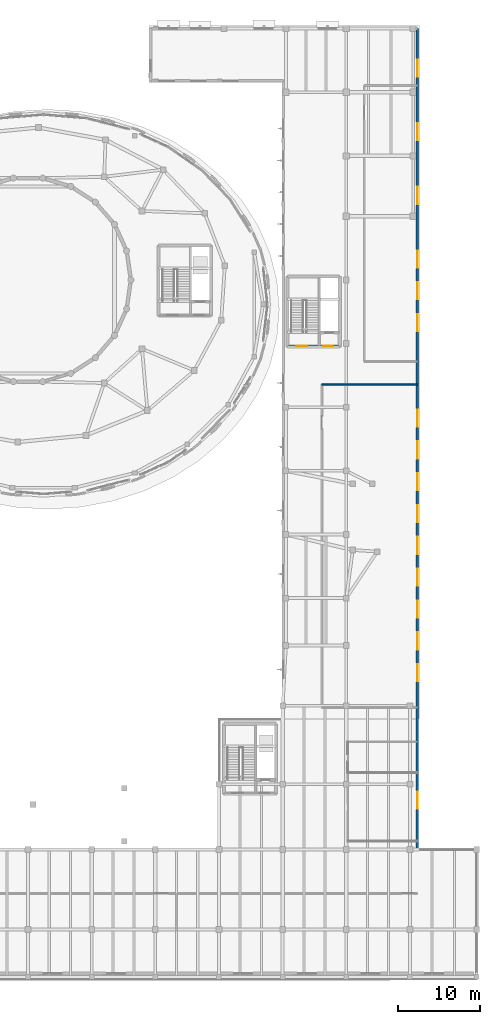
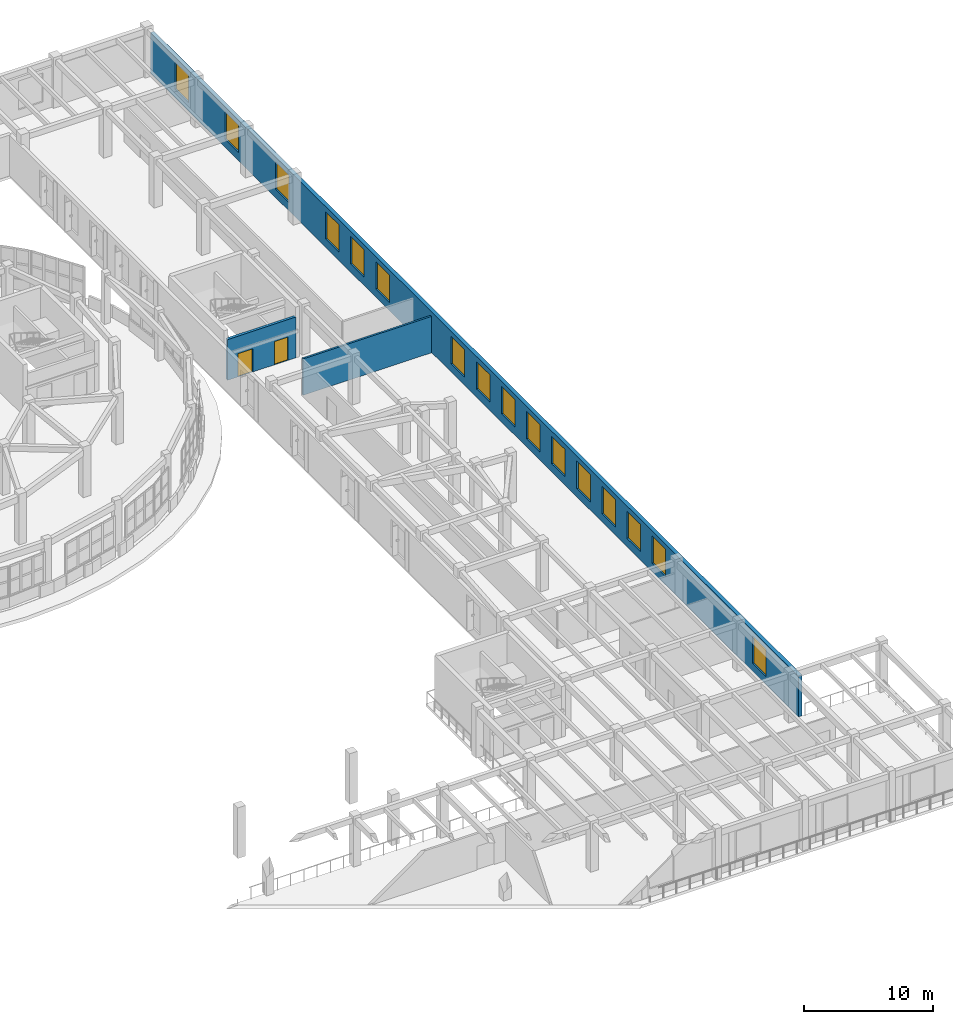
# One storey, part 82 of 98: 16 windows, 3 walls, 2 doors, 18 openings.
"""IFC4 building model written with IfcOpenShell, lengths in metres."""

from ifc_helpers import new_model, si_unit, direction, frame, frame_2d, origin, place, context, subcontext, project, spatial, rectangle, extrude, material, layer, layer_set, type_object, element, fill, save


model = new_model("IFC4")

# Units and contexts
model_context = context("Model", 3, precision=1e-05, world=origin(), true_north=direction((0.0, 1.0)))
body_context = subcontext(model_context, "Body", "Model", "MODEL_VIEW")
ifc_project = project(units=[si_unit("LENGTHUNIT", "METRE"), si_unit("AREAUNIT", "SQUARE_METRE"), si_unit("VOLUMEUNIT", "CUBIC_METRE"), si_unit("PLANEANGLEUNIT", "RADIAN"), si_unit("MASSUNIT", "GRAM", prefix="KILO")], contexts=[model_context])

# Site, building, storey
site_placement = place(None, origin())
site = spatial("IfcSite", under=ifc_project, at=site_placement, CompositionType="ELEMENT")
building_placement = place(site_placement, origin())
building = spatial("IfcBuilding", under=site, at=building_placement, Name="Pelvatis Terrace Science Centre", CompositionType="ELEMENT")
storey_placement = place(building_placement, frame((0.0, 0.0, 5.39990234375)))
storey = spatial("IfcBuildingStorey", under=building, at=storey_placement, Name="L01", CompositionType="ELEMENT", Elevation=5.39990234375)

# Wall, openings, windows
ifc_material_1 = material(Name="Precast concrete C35/45 architectural stone", Category="masonry")
ifc_layer_1 = layer(ifc_material_1, 0.340087890625)
ifc_layer_set_1 = layer_set([ifc_layer_1], Name="Precast concrete C35/45 architectural stone")
wall_type_1 = type_object("IfcWallType", Name="WL-EXT-PREC-340", PredefinedType="SOLIDWALL", material=ifc_layer_set_1)
wall_1_placement = place(storey_placement, frame((156.89990234375, 16.0, 0.0), z_axis=(0.0, 0.0, 1.0), x_axis=(0.0, 1.0, 0.0)))
wall_1 = element("IfcWall", 1, at=wall_1_placement, inside=storey, type_object=wall_type_1, Name="Exterior classical Art Deco facade wall EW-L01-E", PredefinedType="SOLIDWALL", context=body_context, shape_type="SweptSolid", body=[
    extrude(rectangle(XDim=100.60009765625, YDim=0.340087890625, at=frame_2d((50.300048828125, 0.0))), origin(), (0.0, 0.0, 1.0), 3.860107421875),
])
opening_1_placement = place(wall_1_placement, frame((5.0, 0.0, 0.780029296875)))
opening_1 = element("IfcOpeningElement", 2, at=opening_1_placement, cuts=wall_1, Name="Opening W-022", PredefinedType="OPENING", context=body_context, shape_type="SweptSolid", body=[
    extrude(rectangle(XDim=2.10009765625, YDim=2.60009765625, at=frame_2d((1.050048828125, 1.300048828125))), frame((0.0, 0.179931640625, 0.0), z_axis=(0.0, -1.0, 0.0), x_axis=(1.0, 0.0, 0.0)), (0.0, 0.0, 1.0), 0.360107421875),
])
opening_2_placement = place(wall_1_placement, frame((20.60009765625, 0.0, 0.780029296875)))
opening_2 = element("IfcOpeningElement", 3, at=opening_2_placement, cuts=wall_1, Name="Opening W-023", PredefinedType="OPENING", context=body_context, shape_type="SweptSolid", body=[
    extrude(rectangle(XDim=2.10009765625, YDim=2.60009765625, at=frame_2d((1.050048828125, 1.300048828125))), frame((0.0, 0.179931640625, 0.0), z_axis=(0.0, -1.0, 0.0), x_axis=(1.0, 0.0, 0.0)), (0.0, 0.0, 1.0), 0.360107421875),
])
opening_3_placement = place(wall_1_placement, frame((24.5, 0.0, 0.780029296875)))
opening_3 = element("IfcOpeningElement", 4, at=opening_3_placement, cuts=wall_1, Name="Opening W-024", PredefinedType="OPENING", context=body_context, shape_type="SweptSolid", body=[
    extrude(rectangle(XDim=2.10009765625, YDim=2.60009765625, at=frame_2d((1.050048828125, 1.300048828125))), frame((0.0, 0.179931640625, 0.0), z_axis=(0.0, -1.0, 0.0), x_axis=(1.0, 0.0, 0.0)), (0.0, 0.0, 1.0), 0.360107421875),
])
opening_4_placement = place(wall_1_placement, frame((28.39990234375, 0.0, 0.780029296875)))
opening_4 = element("IfcOpeningElement", 5, at=opening_4_placement, cuts=wall_1, Name="Opening W-025", PredefinedType="OPENING", context=body_context, shape_type="SweptSolid", body=[
    extrude(rectangle(XDim=2.10009765625, YDim=2.60009765625, at=frame_2d((1.050048828125, 1.300048828125))), frame((0.0, 0.179931640625, 0.0), z_axis=(0.0, -1.0, 0.0), x_axis=(1.0, 0.0, 0.0)), (0.0, 0.0, 1.0), 0.360107421875),
])
opening_5_placement = place(wall_1_placement, frame((32.300048828125, 0.0, 0.780029296875)))
opening_5 = element("IfcOpeningElement", 6, at=opening_5_placement, cuts=wall_1, Name="Opening W-026", PredefinedType="OPENING", context=body_context, shape_type="SweptSolid", body=[
    extrude(rectangle(XDim=2.10009765625, YDim=2.60009765625, at=frame_2d((1.050048828125, 1.300048828125))), frame((0.0, 0.179931640625, 0.0), z_axis=(0.0, -1.0, 0.0), x_axis=(1.0, 0.0, 0.0)), (0.0, 0.0, 1.0), 0.360107421875),
])
opening_6_placement = place(wall_1_placement, frame((36.199951171875, 0.0, 0.780029296875)))
opening_6 = element("IfcOpeningElement", 7, at=opening_6_placement, cuts=wall_1, Name="Opening W-027", PredefinedType="OPENING", context=body_context, shape_type="SweptSolid", body=[
    extrude(rectangle(XDim=2.10009765625, YDim=2.60009765625, at=frame_2d((1.050048828125, 1.300048828125))), frame((0.0, 0.179931640625, 0.0), z_axis=(0.0, -1.0, 0.0), x_axis=(1.0, 0.0, 0.0)), (0.0, 0.0, 1.0), 0.360107421875),
])
opening_7_placement = place(wall_1_placement, frame((40.10009765625, 0.0, 0.780029296875)))
opening_7 = element("IfcOpeningElement", 8, at=opening_7_placement, cuts=wall_1, Name="Opening W-028", PredefinedType="OPENING", context=body_context, shape_type="SweptSolid", body=[
    extrude(rectangle(XDim=2.10009765625, YDim=2.60009765625, at=frame_2d((1.050048828125, 1.300048828125))), frame((0.0, 0.179931640625, 0.0), z_axis=(0.0, -1.0, 0.0), x_axis=(1.0, 0.0, 0.0)), (0.0, 0.0, 1.0), 0.360107421875),
])
opening_8_placement = place(wall_1_placement, frame((44.0, 0.0, 0.780029296875)))
opening_8 = element("IfcOpeningElement", 9, at=opening_8_placement, cuts=wall_1, Name="Opening W-029", PredefinedType="OPENING", context=body_context, shape_type="SweptSolid", body=[
    extrude(rectangle(XDim=2.10009765625, YDim=2.60009765625, at=frame_2d((1.050048828125, 1.300048828125))), frame((0.0, 0.179931640625, 0.0), z_axis=(0.0, -1.0, 0.0), x_axis=(1.0, 0.0, 0.0)), (0.0, 0.0, 1.0), 0.360107421875),
])
opening_9_placement = place(wall_1_placement, frame((47.89990234375, 0.0, 0.780029296875)))
opening_9 = element("IfcOpeningElement", 10, at=opening_9_placement, cuts=wall_1, Name="Opening W-030", PredefinedType="OPENING", context=body_context, shape_type="SweptSolid", body=[
    extrude(rectangle(XDim=2.10009765625, YDim=2.60009765625, at=frame_2d((1.050048828125, 1.300048828125))), frame((0.0, 0.179931640625, 0.0), z_axis=(0.0, -1.0, 0.0), x_axis=(1.0, 0.0, 0.0)), (0.0, 0.0, 1.0), 0.360107421875),
])
opening_10_placement = place(wall_1_placement, frame((51.800048828125, 0.0, 0.780029296875)))
opening_10 = element("IfcOpeningElement", 11, at=opening_10_placement, cuts=wall_1, Name="Opening W-031", PredefinedType="OPENING", context=body_context, shape_type="SweptSolid", body=[
    extrude(rectangle(XDim=2.10009765625, YDim=2.60009765625, at=frame_2d((1.050048828125, 1.300048828125))), frame((0.0, 0.179931640625, 0.0), z_axis=(0.0, -1.0, 0.0), x_axis=(1.0, 0.0, 0.0)), (0.0, 0.0, 1.0), 0.360107421875),
])
opening_11_placement = place(wall_1_placement, frame((63.5, 0.0, 0.780029296875)))
opening_11 = element("IfcOpeningElement", 12, at=opening_11_placement, cuts=wall_1, Name="Opening W-032", PredefinedType="OPENING", context=body_context, shape_type="SweptSolid", body=[
    extrude(rectangle(XDim=2.10009765625, YDim=2.60009765625, at=frame_2d((1.050048828125, 1.300048828125))), frame((0.0, 0.179931640625, 0.0), z_axis=(0.0, -1.0, 0.0), x_axis=(1.0, 0.0, 0.0)), (0.0, 0.0, 1.0), 0.360107421875),
])
opening_12_placement = place(wall_1_placement, frame((67.39990234375, 0.0, 0.780029296875)))
opening_12 = element("IfcOpeningElement", 13, at=opening_12_placement, cuts=wall_1, Name="Opening W-033", PredefinedType="OPENING", context=body_context, shape_type="SweptSolid", body=[
    extrude(rectangle(XDim=2.10009765625, YDim=2.60009765625, at=frame_2d((1.050048828125, 1.300048828125))), frame((0.0, 0.179931640625, 0.0), z_axis=(0.0, -1.0, 0.0), x_axis=(1.0, 0.0, 0.0)), (0.0, 0.0, 1.0), 0.360107421875),
])
opening_13_placement = place(wall_1_placement, frame((71.300048828125, 0.0, 0.780029296875)))
opening_13 = element("IfcOpeningElement", 14, at=opening_13_placement, cuts=wall_1, Name="Opening W-034", PredefinedType="OPENING", context=body_context, shape_type="SweptSolid", body=[
    extrude(rectangle(XDim=2.10009765625, YDim=2.60009765625, at=frame_2d((1.050048828125, 1.300048828125))), frame((0.0, 0.179931640625, 0.0), z_axis=(0.0, -1.0, 0.0), x_axis=(1.0, 0.0, 0.0)), (0.0, 0.0, 1.0), 0.360107421875),
])
opening_14_placement = place(wall_1_placement, frame((79.10009765625, 0.0, 0.780029296875)))
opening_14 = element("IfcOpeningElement", 15, at=opening_14_placement, cuts=wall_1, Name="Opening W-035", PredefinedType="OPENING", context=body_context, shape_type="SweptSolid", body=[
    extrude(rectangle(XDim=2.10009765625, YDim=2.60009765625, at=frame_2d((1.050048828125, 1.300048828125))), frame((0.0, 0.179931640625, 0.0), z_axis=(0.0, -1.0, 0.0), x_axis=(1.0, 0.0, 0.0)), (0.0, 0.0, 1.0), 0.360107421875),
])
opening_15_placement = place(wall_1_placement, frame((86.89990234375, 0.0, 0.780029296875)))
opening_15 = element("IfcOpeningElement", 16, at=opening_15_placement, cuts=wall_1, Name="Opening W-036", PredefinedType="OPENING", context=body_context, shape_type="SweptSolid", body=[
    extrude(rectangle(XDim=2.10009765625, YDim=2.60009765625, at=frame_2d((1.050048828125, 1.300048828125))), frame((0.0, 0.179931640625, 0.0), z_axis=(0.0, -1.0, 0.0), x_axis=(1.0, 0.0, 0.0)), (0.0, 0.0, 1.0), 0.360107421875),
])
opening_16_placement = place(wall_1_placement, frame((94.699951171875, 0.0, 0.780029296875)))
opening_16 = element("IfcOpeningElement", 17, at=opening_16_placement, cuts=wall_1, Name="Opening W-037", PredefinedType="OPENING", context=body_context, shape_type="SweptSolid", body=[
    extrude(rectangle(XDim=2.10009765625, YDim=2.60009765625, at=frame_2d((1.050048828125, 1.300048828125))), frame((0.0, 0.179931640625, 0.0), z_axis=(0.0, -1.0, 0.0), x_axis=(1.0, 0.0, 0.0)), (0.0, 0.0, 1.0), 0.360107421875),
])
ifc_material_2 = material(Name="Bronze-anodised aluminium and laminated low-e glass", Category="aluminium")
window_type = type_object("IfcWindowType", Name="WIN-AD-2100x2600", PartitioningType="SINGLE_PANEL", PredefinedType="WINDOW", material=ifc_material_2)
window_1_placement = place(opening_1_placement, origin())
window_1 = element("IfcWindow", 18, at=window_1_placement, inside=storey, type_object=window_type, Name="Art Deco facade window W-022 (L01)", OverallHeight=2.60009765625, OverallWidth=2.10009765625, PartitioningType="SINGLE_PANEL", PredefinedType="WINDOW", context=body_context, shape_type="SweptSolid", body=[
    extrude(rectangle(XDim=2.10009765625, YDim=2.60009765625, at=frame_2d((1.050048828125, 1.300048828125))), frame((0.0, 0.030029296875, 0.0), z_axis=(0.0, -1.0, 0.0), x_axis=(1.0, 0.0, 0.0)), (0.0, 0.0, 1.0), 0.06005859375),
])
fill(opening_1, window_1)
window_2_placement = place(opening_2_placement, origin())
window_2 = element("IfcWindow", 19, at=window_2_placement, inside=storey, type_object=window_type, Name="Art Deco facade window W-023 (L01)", OverallHeight=2.60009765625, OverallWidth=2.10009765625, PartitioningType="SINGLE_PANEL", PredefinedType="WINDOW", context=body_context, shape_type="SweptSolid", body=[
    extrude(rectangle(XDim=2.10009765625, YDim=2.60009765625, at=frame_2d((1.050048828125, 1.300048828125))), frame((0.0, 0.030029296875, 0.0), z_axis=(0.0, -1.0, 0.0), x_axis=(1.0, 0.0, 0.0)), (0.0, 0.0, 1.0), 0.06005859375),
])
fill(opening_2, window_2)
window_3_placement = place(opening_3_placement, origin())
window_3 = element("IfcWindow", 20, at=window_3_placement, inside=storey, type_object=window_type, Name="Art Deco facade window W-024 (L01)", OverallHeight=2.60009765625, OverallWidth=2.10009765625, PartitioningType="SINGLE_PANEL", PredefinedType="WINDOW", context=body_context, shape_type="SweptSolid", body=[
    extrude(rectangle(XDim=2.10009765625, YDim=2.60009765625, at=frame_2d((1.050048828125, 1.300048828125))), frame((0.0, 0.030029296875, 0.0), z_axis=(0.0, -1.0, 0.0), x_axis=(1.0, 0.0, 0.0)), (0.0, 0.0, 1.0), 0.06005859375),
])
fill(opening_3, window_3)
window_4_placement = place(opening_4_placement, origin())
window_4 = element("IfcWindow", 21, at=window_4_placement, inside=storey, type_object=window_type, Name="Art Deco facade window W-025 (L01)", OverallHeight=2.60009765625, OverallWidth=2.10009765625, PartitioningType="SINGLE_PANEL", PredefinedType="WINDOW", context=body_context, shape_type="SweptSolid", body=[
    extrude(rectangle(XDim=2.10009765625, YDim=2.60009765625, at=frame_2d((1.050048828125, 1.300048828125))), frame((0.0, 0.030029296875, 0.0), z_axis=(0.0, -1.0, 0.0), x_axis=(1.0, 0.0, 0.0)), (0.0, 0.0, 1.0), 0.06005859375),
])
fill(opening_4, window_4)
window_5_placement = place(opening_5_placement, origin())
window_5 = element("IfcWindow", 22, at=window_5_placement, inside=storey, type_object=window_type, Name="Art Deco facade window W-026 (L01)", OverallHeight=2.60009765625, OverallWidth=2.10009765625, PartitioningType="SINGLE_PANEL", PredefinedType="WINDOW", context=body_context, shape_type="SweptSolid", body=[
    extrude(rectangle(XDim=2.10009765625, YDim=2.60009765625, at=frame_2d((1.050048828125, 1.300048828125))), frame((0.0, 0.030029296875, 0.0), z_axis=(0.0, -1.0, 0.0), x_axis=(1.0, 0.0, 0.0)), (0.0, 0.0, 1.0), 0.06005859375),
])
fill(opening_5, window_5)
window_6_placement = place(opening_6_placement, origin())
window_6 = element("IfcWindow", 23, at=window_6_placement, inside=storey, type_object=window_type, Name="Art Deco facade window W-027 (L01)", OverallHeight=2.60009765625, OverallWidth=2.10009765625, PartitioningType="SINGLE_PANEL", PredefinedType="WINDOW", context=body_context, shape_type="SweptSolid", body=[
    extrude(rectangle(XDim=2.10009765625, YDim=2.60009765625, at=frame_2d((1.050048828125, 1.300048828125))), frame((0.0, 0.030029296875, 0.0), z_axis=(0.0, -1.0, 0.0), x_axis=(1.0, 0.0, 0.0)), (0.0, 0.0, 1.0), 0.06005859375),
])
fill(opening_6, window_6)
window_7_placement = place(opening_7_placement, origin())
window_7 = element("IfcWindow", 24, at=window_7_placement, inside=storey, type_object=window_type, Name="Art Deco facade window W-028 (L01)", OverallHeight=2.60009765625, OverallWidth=2.10009765625, PartitioningType="SINGLE_PANEL", PredefinedType="WINDOW", context=body_context, shape_type="SweptSolid", body=[
    extrude(rectangle(XDim=2.10009765625, YDim=2.60009765625, at=frame_2d((1.050048828125, 1.300048828125))), frame((0.0, 0.030029296875, 0.0), z_axis=(0.0, -1.0, 0.0), x_axis=(1.0, 0.0, 0.0)), (0.0, 0.0, 1.0), 0.06005859375),
])
fill(opening_7, window_7)
window_8_placement = place(opening_8_placement, origin())
window_8 = element("IfcWindow", 25, at=window_8_placement, inside=storey, type_object=window_type, Name="Art Deco facade window W-029 (L01)", OverallHeight=2.60009765625, OverallWidth=2.10009765625, PartitioningType="SINGLE_PANEL", PredefinedType="WINDOW", context=body_context, shape_type="SweptSolid", body=[
    extrude(rectangle(XDim=2.10009765625, YDim=2.60009765625, at=frame_2d((1.050048828125, 1.300048828125))), frame((0.0, 0.030029296875, 0.0), z_axis=(0.0, -1.0, 0.0), x_axis=(1.0, 0.0, 0.0)), (0.0, 0.0, 1.0), 0.06005859375),
])
fill(opening_8, window_8)
window_9_placement = place(opening_9_placement, origin())
window_9 = element("IfcWindow", 26, at=window_9_placement, inside=storey, type_object=window_type, Name="Art Deco facade window W-030 (L01)", OverallHeight=2.60009765625, OverallWidth=2.10009765625, PartitioningType="SINGLE_PANEL", PredefinedType="WINDOW", context=body_context, shape_type="SweptSolid", body=[
    extrude(rectangle(XDim=2.10009765625, YDim=2.60009765625, at=frame_2d((1.050048828125, 1.300048828125))), frame((0.0, 0.030029296875, 0.0), z_axis=(0.0, -1.0, 0.0), x_axis=(1.0, 0.0, 0.0)), (0.0, 0.0, 1.0), 0.06005859375),
])
fill(opening_9, window_9)
window_10_placement = place(opening_10_placement, origin())
window_10 = element("IfcWindow", 27, at=window_10_placement, inside=storey, type_object=window_type, Name="Art Deco facade window W-031 (L01)", OverallHeight=2.60009765625, OverallWidth=2.10009765625, PartitioningType="SINGLE_PANEL", PredefinedType="WINDOW", context=body_context, shape_type="SweptSolid", body=[
    extrude(rectangle(XDim=2.10009765625, YDim=2.60009765625, at=frame_2d((1.050048828125, 1.300048828125))), frame((0.0, 0.030029296875, 0.0), z_axis=(0.0, -1.0, 0.0), x_axis=(1.0, 0.0, 0.0)), (0.0, 0.0, 1.0), 0.06005859375),
])
fill(opening_10, window_10)
window_11_placement = place(opening_11_placement, origin())
window_11 = element("IfcWindow", 28, at=window_11_placement, inside=storey, type_object=window_type, Name="Art Deco facade window W-032 (L01)", OverallHeight=2.60009765625, OverallWidth=2.10009765625, PartitioningType="SINGLE_PANEL", PredefinedType="WINDOW", context=body_context, shape_type="SweptSolid", body=[
    extrude(rectangle(XDim=2.10009765625, YDim=2.60009765625, at=frame_2d((1.050048828125, 1.300048828125))), frame((0.0, 0.030029296875, 0.0), z_axis=(0.0, -1.0, 0.0), x_axis=(1.0, 0.0, 0.0)), (0.0, 0.0, 1.0), 0.06005859375),
])
fill(opening_11, window_11)
window_12_placement = place(opening_12_placement, origin())
window_12 = element("IfcWindow", 29, at=window_12_placement, inside=storey, type_object=window_type, Name="Art Deco facade window W-033 (L01)", OverallHeight=2.60009765625, OverallWidth=2.10009765625, PartitioningType="SINGLE_PANEL", PredefinedType="WINDOW", context=body_context, shape_type="SweptSolid", body=[
    extrude(rectangle(XDim=2.10009765625, YDim=2.60009765625, at=frame_2d((1.050048828125, 1.300048828125))), frame((0.0, 0.030029296875, 0.0), z_axis=(0.0, -1.0, 0.0), x_axis=(1.0, 0.0, 0.0)), (0.0, 0.0, 1.0), 0.06005859375),
])
fill(opening_12, window_12)
window_13_placement = place(opening_13_placement, origin())
window_13 = element("IfcWindow", 30, at=window_13_placement, inside=storey, type_object=window_type, Name="Art Deco facade window W-034 (L01)", OverallHeight=2.60009765625, OverallWidth=2.10009765625, PartitioningType="SINGLE_PANEL", PredefinedType="WINDOW", context=body_context, shape_type="SweptSolid", body=[
    extrude(rectangle(XDim=2.10009765625, YDim=2.60009765625, at=frame_2d((1.050048828125, 1.300048828125))), frame((0.0, 0.030029296875, 0.0), z_axis=(0.0, -1.0, 0.0), x_axis=(1.0, 0.0, 0.0)), (0.0, 0.0, 1.0), 0.06005859375),
])
fill(opening_13, window_13)
window_14_placement = place(opening_14_placement, origin())
window_14 = element("IfcWindow", 31, at=window_14_placement, inside=storey, type_object=window_type, Name="Art Deco facade window W-035 (L01)", OverallHeight=2.60009765625, OverallWidth=2.10009765625, PartitioningType="SINGLE_PANEL", PredefinedType="WINDOW", context=body_context, shape_type="SweptSolid", body=[
    extrude(rectangle(XDim=2.10009765625, YDim=2.60009765625, at=frame_2d((1.050048828125, 1.300048828125))), frame((0.0, 0.030029296875, 0.0), z_axis=(0.0, -1.0, 0.0), x_axis=(1.0, 0.0, 0.0)), (0.0, 0.0, 1.0), 0.06005859375),
])
fill(opening_14, window_14)
window_15_placement = place(opening_15_placement, origin())
window_15 = element("IfcWindow", 32, at=window_15_placement, inside=storey, type_object=window_type, Name="Art Deco facade window W-036 (L01)", OverallHeight=2.60009765625, OverallWidth=2.10009765625, PartitioningType="SINGLE_PANEL", PredefinedType="WINDOW", context=body_context, shape_type="SweptSolid", body=[
    extrude(rectangle(XDim=2.10009765625, YDim=2.60009765625, at=frame_2d((1.050048828125, 1.300048828125))), frame((0.0, 0.030029296875, 0.0), z_axis=(0.0, -1.0, 0.0), x_axis=(1.0, 0.0, 0.0)), (0.0, 0.0, 1.0), 0.06005859375),
])
fill(opening_15, window_15)
window_16_placement = place(opening_16_placement, origin())
window_16 = element("IfcWindow", 33, at=window_16_placement, inside=storey, type_object=window_type, Name="Art Deco facade window W-037 (L01)", OverallHeight=2.60009765625, OverallWidth=2.10009765625, PartitioningType="SINGLE_PANEL", PredefinedType="WINDOW", context=body_context, shape_type="SweptSolid", body=[
    extrude(rectangle(XDim=2.10009765625, YDim=2.60009765625, at=frame_2d((1.050048828125, 1.300048828125))), frame((0.0, 0.030029296875, 0.0), z_axis=(0.0, -1.0, 0.0), x_axis=(1.0, 0.0, 0.0)), (0.0, 0.0, 1.0), 0.06005859375),
])
fill(opening_16, window_16)

# Wall, openings, doors
ifc_material_3 = material(Name="Concrete C35/45 shaft enclosure wall", Category="concrete")
ifc_layer_2 = layer(ifc_material_3, 0.239990234375)
ifc_layer_set_2 = layer_set([ifc_layer_2], Name="Concrete C35/45 shaft enclosure wall")
wall_type_2 = type_object("IfcWallType", Name="WL-INT-CORE-240", PredefinedType="PARTITIONING", material=ifc_layer_set_2)
wall_2_placement = place(storey_placement, frame((141.14990234375, 77.719970703125, 0.0), z_axis=(0.0, 0.0, 1.0), x_axis=(1.0, 0.0, 0.0)))
wall_2 = element("IfcWall", 34, at=wall_2_placement, inside=storey, type_object=wall_type_2, Name="Core C3 fire-rated lobby wall (L01)", PredefinedType="PARTITIONING", context=body_context, shape_type="SweptSolid", body=[
    extrude(rectangle(XDim=6.10009765625, YDim=0.239990234375, at=frame_2d((3.050048828125, 0.0))), origin(), (0.0, 0.0, 1.0), 3.860107421875),
])
opening_17_placement = place(wall_2_placement, frame((0.89990234375, 0.0, 0.0)))
opening_17 = element("IfcOpeningElement", 35, at=opening_17_placement, cuts=wall_2, Name="Opening D-133", PredefinedType="OPENING", context=body_context, shape_type="SweptSolid", body=[
    extrude(rectangle(XDim=1.35009765625, YDim=2.199951171875, at=frame_2d((0.675048828125, 1.10009765625))), frame((0.0, 0.1298828125, 0.0), z_axis=(0.0, -1.0, 0.0), x_axis=(1.0, 0.0, 0.0)), (0.0, 0.0, 1.0), 0.260009765625),
])
opening_18_placement = place(wall_2_placement, frame((4.199951171875, 0.0, 0.0)))
opening_18 = element("IfcOpeningElement", 36, at=opening_18_placement, cuts=wall_2, Name="Opening D-134", PredefinedType="OPENING", context=body_context, shape_type="SweptSolid", body=[
    extrude(rectangle(XDim=1.199951171875, YDim=2.199951171875, at=frame_2d((0.60009765625, 1.10009765625))), frame((0.0, 0.1298828125, 0.0), z_axis=(0.0, -1.0, 0.0), x_axis=(1.0, 0.0, 0.0)), (0.0, 0.0, 1.0), 0.260009765625),
])
ifc_material_4 = material(Name="Steel fire-rated exit stair door", Category="steel")
door_type_1 = type_object("IfcDoorType", Name="DR-STAIR-1200x2200", OperationType="NOTDEFINED", PredefinedType="DOOR", material=ifc_material_4)
door_1_placement = place(opening_18_placement, origin())
door_1 = element("IfcDoor", 37, at=door_1_placement, inside=storey, type_object=door_type_1, Name="Core C3 lift lobby fire door (L01)", OperationType="SINGLE_SWING_RIGHT", OverallHeight=2.199951171875, OverallWidth=1.199951171875, PredefinedType="DOOR", context=body_context, shape_type="SweptSolid", body=[
    extrude(rectangle(XDim=1.199951171875, YDim=2.199951171875, at=frame_2d((0.60009765625, 1.10009765625))), frame((0.0, 0.02490234375, 0.0), z_axis=(0.0, -1.0, 0.0), x_axis=(1.0, 0.0, 0.0)), (0.0, 0.0, 1.0), 0.050048828125),
])
fill(opening_18, door_1)
ifc_material_5 = material(Name="Steel fire-rated protected stair door", Category="steel")
door_type_2 = type_object("IfcDoorType", Name="DR-STAIR-1350x2200", OperationType="NOTDEFINED", PredefinedType="DOOR", material=ifc_material_5)
door_2_placement = place(opening_17_placement, origin())
door_2 = element("IfcDoor", 38, at=door_2_placement, inside=storey, type_object=door_type_2, Name="Core C3 protected stair fire door (L01)", OperationType="SINGLE_SWING_LEFT", OverallHeight=2.199951171875, OverallWidth=1.35009765625, PredefinedType="DOOR", context=body_context, shape_type="SweptSolid", body=[
    extrude(rectangle(XDim=1.35009765625, YDim=2.199951171875, at=frame_2d((0.675048828125, 1.10009765625))), frame((0.0, 0.02490234375, 0.0), z_axis=(0.0, -1.0, 0.0), x_axis=(1.0, 0.0, 0.0)), (0.0, 0.0, 1.0), 0.050048828125),
])
fill(opening_17, door_2)

# Wall
ifc_material_6 = material(Name="Moisture-resistant laboratory partition", Category="masonry")
ifc_layer_3 = layer(ifc_material_6, 0.175048828125)
ifc_layer_set_3 = layer_set([ifc_layer_3], Name="Moisture-resistant laboratory partition")
wall_type_3 = type_object("IfcWallType", Name="WL-INT-LAB-175", PredefinedType="PARTITIONING", material=ifc_layer_set_3)
wall_3_placement = place(storey_placement, frame((156.89990234375, 73.0, 0.0), z_axis=(0.0, 0.0, 1.0), x_axis=(-1.0, 0.0, 0.0)))
element("IfcWall", 39, at=wall_3_placement, inside=storey, type_object=wall_type_3, Name="Environmental Water and Soil Science Laboratory 3 partition wall N", PredefinedType="PARTITIONING", context=body_context, shape_type="SweptSolid", body=[
    extrude(rectangle(XDim=11.699951171875, YDim=0.175048828125, at=frame_2d((5.85009765625, 0.0))), origin(), (0.0, 0.0, 1.0), 3.4501953125),
])

save(model, "model.ifc")
